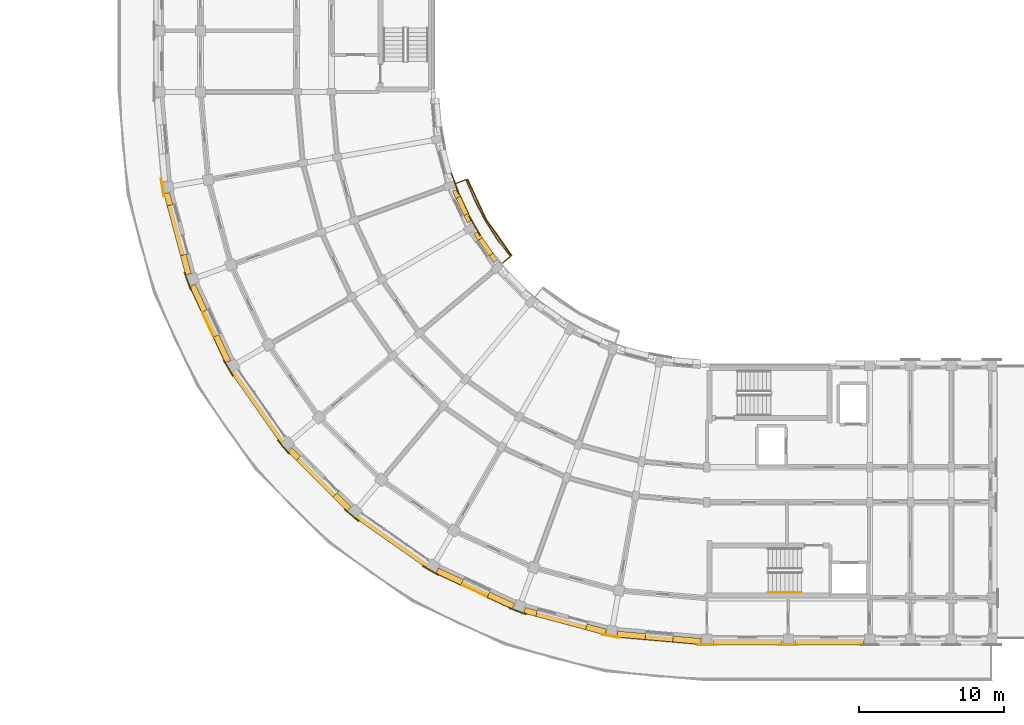
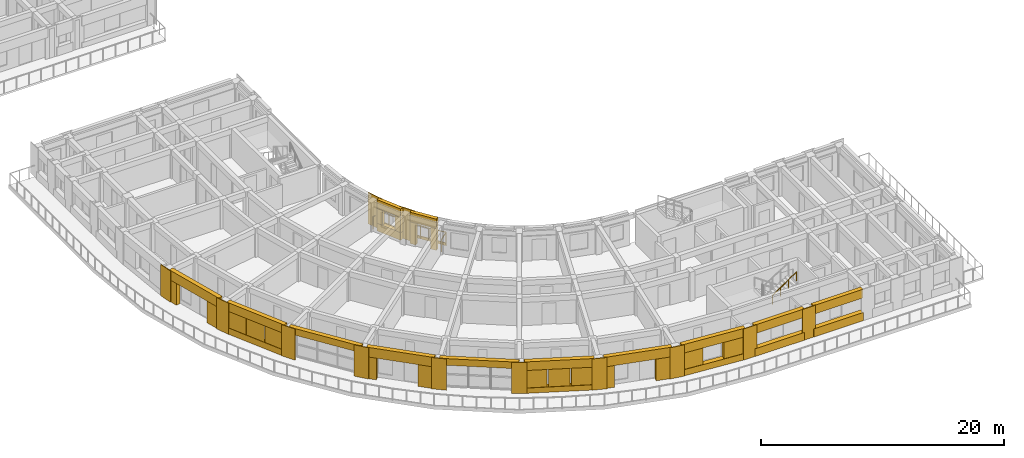
# One storey, part 38 of 54: 47 coverings, 2 railings, 2 shading devices.
"""IFC4 building model written with IfcOpenShell, lengths in metres."""

from ifc_helpers import new_model, si_unit, direction, frame, origin, origin_2d, place, context, subcontext, project, spatial, polyline, rectangle, circle, outline, extrude, material, layer, layer_set, type_object, element, save


model = new_model("IFC4")

# Units and contexts
model_context = context("Model", 3, precision=1e-05, world=origin(), true_north=direction((0.0, 1.0)))
body_context = subcontext(model_context, "Body", "Model", "MODEL_VIEW")
ifc_project = project(units=[si_unit("LENGTHUNIT", "METRE"), si_unit("AREAUNIT", "SQUARE_METRE"), si_unit("VOLUMEUNIT", "CUBIC_METRE"), si_unit("PLANEANGLEUNIT", "RADIAN"), si_unit("MASSUNIT", "GRAM", prefix="KILO")], contexts=[model_context])

# Site, building, storey
site_placement = place(None, origin())
site = spatial("IfcSite", under=ifc_project, at=site_placement, CompositionType="ELEMENT")
building_placement = place(site_placement, origin())
building = spatial("IfcBuilding", under=site, at=building_placement, Name="Kiranvali Square Residences", CompositionType="ELEMENT")
storey_placement = place(building_placement, frame((0.0, 0.0, 27.60009765625)))
storey = spatial("IfcBuildingStorey", under=building, at=storey_placement, Name="L08", CompositionType="ELEMENT", Elevation=27.60009765625)

# Coverings
ifc_material_1 = material(Name="Carved Porbandar limestone classical entablature and cornice", Category="masonry")
ifc_layer_1 = layer(ifc_material_1, 0.06201171875)
ifc_layer_set_1 = layer_set([ifc_layer_1], Name="Carved Porbandar limestone classical entablature and cornice")
covering_type_1 = type_object("IfcCoveringType", Name="COV-CLAD-GBAL", PredefinedType="CLADDING", material=ifc_layer_set_1)
covering_1_placement = place(storey_placement, frame((0.0, 0.0, -0.22021484375)))
element("IfcCovering", 1, at=covering_1_placement, inside=storey, type_object=covering_type_1, Name="Block C L08 garden balcony limestone fascia 2", PredefinedType="CLADDING", context=body_context, shape_type="SweptSolid", body=[
    extrude(outline(polyline([(34.8095703125, 36.964111328125), (33.061767578125, 39.4599609375), (31.774169921875, 42.221435546875), (31.710205078125, 42.1982421875), (33.0029296875, 39.426025390625), (34.757568359375, 36.92041015625), (34.8095703125, 36.964111328125)])), origin(), (0.0, 0.0, 1.0), 0.27001953125),
])
ifc_material_2 = material(Name="Honed Porbandar limestone ashlar facade cladding", Category="masonry")
ifc_layer_2 = layer(ifc_material_2, 0.3798828125)
ifc_layer_set_2 = layer_set([ifc_layer_2], Name="Honed Porbandar limestone ashlar facade cladding")
covering_type_2 = type_object("IfcCoveringType", Name="COV-CLAD-JAMB", PredefinedType="CLADDING", material=ifc_layer_set_2)
covering_2_placement = place(storey_placement, frame((0.0, 0.0, 0.6298828125)))
element("IfcCovering", 2, at=covering_2_placement, inside=storey, type_object=covering_type_2, Name="L08 deep limestone window jamb reveal C-L08-CRV-00.L", PredefinedType="CLADDING", context=body_context, shape_type="SweptSolid", body=[
    extrude(outline(polyline([(47.801513671875, 10.63427734375), (45.8818359375, 10.80224609375), (45.84619140625, 10.394287109375), (47.765869140625, 10.226318359375), (47.801513671875, 10.63427734375)])), origin(), (0.0, 0.0, 1.0), 1.64990234375),
])
covering_3_placement = place(storey_placement, frame((0.0, 0.0, 0.6298828125)))
element("IfcCovering", 3, at=covering_3_placement, inside=storey, type_object=covering_type_2, Name="L08 deep limestone window jamb reveal C-L08-CRV-00.R", PredefinedType="CLADDING", context=body_context, shape_type="SweptSolid", body=[
    extrude(outline(polyline([(43.989013671875, 10.968017578125), (42.0693359375, 11.135986328125), (42.03369140625, 10.72802734375), (43.953369140625, 10.56005859375), (43.989013671875, 10.968017578125)])), origin(), (0.0, 0.0, 1.0), 1.64990234375),
])
covering_4_placement = place(storey_placement, origin())
element("IfcCovering", 4, at=covering_4_placement, inside=storey, type_object=covering_type_2, Name="L08 deep limestone window jamb reveal C-L08-CRV-01.L", PredefinedType="CLADDING", context=body_context, shape_type="SweptSolid", body=[
    extrude(outline(polyline([(41.284423828125, 11.274169921875), (39.966796875, 11.627197265625), (39.86083984375, 11.231689453125), (41.17822265625, 10.878662109375), (41.284423828125, 11.274169921875)])), origin(), (0.0, 0.0, 1.0), 2.179931640625),
])
covering_5_placement = place(storey_placement, origin())
element("IfcCovering", 5, at=covering_5_placement, inside=storey, type_object=covering_type_2, Name="L08 deep limestone window jamb reveal C-L08-CRV-01.R", PredefinedType="CLADDING", context=body_context, shape_type="SweptSolid", body=[
    extrude(outline(polyline([(36.54345703125, 12.544677734375), (35.726318359375, 12.763671875), (35.620361328125, 12.367919921875), (36.4375, 12.14892578125), (36.54345703125, 12.544677734375)])), origin(), (0.0, 0.0, 1.0), 2.179931640625),
])
covering_6_placement = place(storey_placement, frame((0.0, 0.0, 0.52978515625)))
element("IfcCovering", 6, at=covering_6_placement, inside=storey, type_object=covering_type_2, Name="L08 deep limestone window jamb reveal C-L08-CRV-02.L", PredefinedType="CLADDING", context=body_context, shape_type="SweptSolid", body=[
    extrude(outline(polyline([(34.977294921875, 13.0361328125), (33.276123046875, 13.829345703125), (33.10302734375, 13.458251953125), (34.80419921875, 12.6650390625), (34.977294921875, 13.0361328125)])), origin(), (0.0, 0.0, 1.0), 1.75),
])
covering_7_placement = place(storey_placement, frame((0.0, 0.0, 0.52978515625)))
element("IfcCovering", 7, at=covering_7_placement, inside=storey, type_object=covering_type_2, Name="L08 deep limestone window jamb reveal C-L08-CRV-02.R", PredefinedType="CLADDING", context=body_context, shape_type="SweptSolid", body=[
    extrude(outline(polyline([(31.46337890625, 14.674560546875), (29.76220703125, 15.468017578125), (29.58935546875, 15.096923828125), (31.29052734375, 14.303466796875), (31.46337890625, 14.674560546875)])), origin(), (0.0, 0.0, 1.0), 1.75),
])
covering_8_placement = place(storey_placement, origin())
element("IfcCovering", 8, at=covering_8_placement, inside=storey, type_object=covering_type_2, Name="L08 deep limestone window jamb reveal C-L08-CRV-04.L", PredefinedType="CLADDING", context=body_context, shape_type="SweptSolid", body=[
    extrude(outline(polyline([(23.748046875, 19.67919921875), (22.783447265625, 20.6435546875), (22.493896484375, 20.35400390625), (23.45849609375, 19.3896484375), (23.748046875, 19.67919921875)])), origin(), (0.0, 0.0, 1.0), 2.179931640625),
])
covering_9_placement = place(storey_placement, origin())
element("IfcCovering", 9, at=covering_9_placement, inside=storey, type_object=covering_type_2, Name="L08 deep limestone window jamb reveal C-L08-CRV-04.R", PredefinedType="CLADDING", context=body_context, shape_type="SweptSolid", body=[
    extrude(outline(polyline([(20.277587890625, 23.149658203125), (19.67919921875, 23.748046875), (19.3896484375, 23.45849609375), (19.988037109375, 22.860107421875), (20.277587890625, 23.149658203125)])), origin(), (0.0, 0.0, 1.0), 2.179931640625),
])
covering_10_placement = place(storey_placement, frame((0.0, 0.0, 0.6298828125)))
element("IfcCovering", 10, at=covering_10_placement, inside=storey, type_object=covering_type_2, Name="L08 deep limestone window jamb reveal C-L08-CRV-06.L", PredefinedType="CLADDING", context=body_context, shape_type="SweptSolid", body=[
    extrude(outline(polyline([(15.468017578125, 29.76220703125), (14.653564453125, 31.5087890625), (14.282470703125, 31.335693359375), (15.096923828125, 29.58935546875), (15.468017578125, 29.76220703125)])), origin(), (0.0, 0.0, 1.0), 1.64990234375),
])
covering_11_placement = place(storey_placement, frame((0.0, 0.0, 0.6298828125)))
element("IfcCovering", 11, at=covering_11_placement, inside=storey, type_object=covering_type_2, Name="L08 deep limestone window jamb reveal C-L08-CRV-06.R", PredefinedType="CLADDING", context=body_context, shape_type="SweptSolid", body=[
    extrude(outline(polyline([(13.8505859375, 33.230712890625), (13.0361328125, 34.977294921875), (12.6650390625, 34.80419921875), (13.4794921875, 33.057861328125), (13.8505859375, 33.230712890625)])), origin(), (0.0, 0.0, 1.0), 1.64990234375),
])
covering_12_placement = place(storey_placement, origin())
element("IfcCovering", 12, at=covering_12_placement, inside=storey, type_object=covering_type_2, Name="L08 deep limestone window jamb reveal C-L08-CRV-07.L", PredefinedType="CLADDING", context=body_context, shape_type="SweptSolid", body=[
    extrude(outline(polyline([(12.763671875, 35.726318359375), (12.41064453125, 37.043701171875), (12.014892578125, 36.937744140625), (12.367919921875, 35.620361328125), (12.763671875, 35.726318359375)])), origin(), (0.0, 0.0, 1.0), 2.179931640625),
])
covering_13_placement = place(storey_placement, origin())
element("IfcCovering", 13, at=covering_13_placement, inside=storey, type_object=covering_type_2, Name="L08 deep limestone window jamb reveal C-L08-CRV-07.R", PredefinedType="CLADDING", context=body_context, shape_type="SweptSolid", body=[
    extrude(outline(polyline([(11.4931640625, 40.467041015625), (11.274169921875, 41.284423828125), (10.878662109375, 41.17822265625), (11.09765625, 40.361083984375), (11.4931640625, 40.467041015625)])), origin(), (0.0, 0.0, 1.0), 2.179931640625),
])
covering_14_placement = place(storey_placement, origin())
element("IfcCovering", 14, at=covering_14_placement, inside=storey, type_object=covering_type_2, Name="L08 deep limestone window jamb reveal C-L08-GDN-05.L", PredefinedType="CLADDING", context=body_context, shape_type="SweptSolid", body=[
    extrude(outline(polyline([(33.824462890625, 36.671142578125), (33.509765625, 37.120361328125), (33.231689453125, 36.925537109375), (33.54638671875, 36.476318359375), (33.824462890625, 36.671142578125)])), origin(), (0.0, 0.0, 1.0), 2.179931640625),
])
covering_15_placement = place(storey_placement, origin())
element("IfcCovering", 15, at=covering_15_placement, inside=storey, type_object=covering_type_2, Name="L08 deep limestone window jamb reveal C-L08-GDN-05.R", PredefinedType="CLADDING", context=body_context, shape_type="SweptSolid", body=[
    extrude(outline(polyline([(32.76416015625, 38.185302734375), (32.44970703125, 38.634521484375), (32.171630859375, 38.43994140625), (32.486083984375, 37.990478515625), (32.76416015625, 38.185302734375)])), origin(), (0.0, 0.0, 1.0), 2.179931640625),
])
covering_16_placement = place(storey_placement, frame((0.0, 0.0, 0.77197265625)))
element("IfcCovering", 16, at=covering_16_placement, inside=storey, type_object=covering_type_2, Name="L08 deep limestone window jamb reveal C-L08-GDN-06.L", PredefinedType="CLADDING", context=body_context, shape_type="SweptSolid", body=[
    extrude(outline(polyline([(32.041015625, 39.342529296875), (31.80908203125, 39.839599609375), (31.50146484375, 39.696044921875), (31.733154296875, 39.198974609375), (32.041015625, 39.342529296875)])), origin(), (0.0, 0.0, 1.0), 1.5),
])
covering_17_placement = place(storey_placement, frame((0.0, 0.0, 0.77197265625)))
element("IfcCovering", 17, at=covering_17_placement, inside=storey, type_object=covering_type_2, Name="L08 deep limestone window jamb reveal C-L08-GDN-06.R", PredefinedType="CLADDING", context=body_context, shape_type="SweptSolid", body=[
    extrude(outline(polyline([(31.259765625, 41.017822265625), (31.02783203125, 41.514892578125), (30.72021484375, 41.37158203125), (30.951904296875, 40.874267578125), (31.259765625, 41.017822265625)])), origin(), (0.0, 0.0, 1.0), 1.5),
])
ifc_layer_3 = layer(ifc_material_2, 0.06494140625)
ifc_layer_set_3 = layer_set([ifc_layer_3], Name="Honed Porbandar limestone ashlar facade cladding")
covering_type_3 = type_object("IfcCoveringType", Name="COV-CLAD-PIER", PredefinedType="CLADDING", material=ifc_layer_set_3)
covering_18_placement = place(storey_placement, frame((0.0, 0.0, 0.0048828125)))
element("IfcCovering", 18, at=covering_18_placement, inside=storey, type_object=covering_type_3, Name="L08 Classical limestone corner pilaster CLAD-PR-C-L08-A00", PredefinedType="CLADDING", context=body_context, shape_type="SweptSolid", body=[
    extrude(outline(polyline([(47.570068359375, 10.181884765625), (48.830078125, 10.181884765625), (48.830078125, 10.24951171875), (47.570068359375, 10.24951171875), (47.570068359375, 10.181884765625)])), origin(), (0.0, 0.0, 1.0), 3.14013671875),
])
covering_19_placement = place(storey_placement, frame((0.0, 0.0, 0.0048828125)))
element("IfcCovering", 19, at=covering_19_placement, inside=storey, type_object=covering_type_3, Name="L08 Classical limestone corner pilaster CLAD-PR-C-L08-A01", PredefinedType="CLADDING", context=body_context, shape_type="SweptSolid", body=[
    extrude(outline(polyline([(40.977783203125, 10.868896484375), (42.21875, 10.650146484375), (42.23046875, 10.716552734375), (40.989501953125, 10.935546875), (40.977783203125, 10.868896484375)])), origin(), (0.0, 0.0, 1.0), 3.14013671875),
])
covering_20_placement = place(storey_placement, frame((0.0, 0.0, 0.0048828125)))
element("IfcCovering", 20, at=covering_20_placement, inside=storey, type_object=covering_type_3, Name="L08 Classical limestone corner pilaster CLAD-PR-C-L08-A02", PredefinedType="CLADDING", context=body_context, shape_type="SweptSolid", body=[
    extrude(outline(polyline([(34.60498046875, 12.690185546875), (35.7890625, 12.25927734375), (35.812255859375, 12.32275390625), (34.628173828125, 12.753662109375), (34.60498046875, 12.690185546875)])), origin(), (0.0, 0.0, 1.0), 3.14013671875),
])
covering_21_placement = place(storey_placement, frame((0.0, 0.0, 0.0048828125)))
element("IfcCovering", 21, at=covering_21_placement, inside=storey, type_object=covering_type_3, Name="L08 Classical limestone corner pilaster CLAD-PR-C-L08-A03", PredefinedType="CLADDING", context=body_context, shape_type="SweptSolid", body=[
    extrude(outline(polyline([(28.6455078125, 15.59033203125), (29.736572265625, 14.96044921875), (29.770263671875, 15.018798828125), (28.67919921875, 15.64892578125), (28.6455078125, 15.59033203125)])), origin(), (0.0, 0.0, 1.0), 3.14013671875),
])
covering_22_placement = place(storey_placement, frame((0.0, 0.0, 0.0048828125)))
element("IfcCovering", 22, at=covering_22_placement, inside=storey, type_object=covering_type_3, Name="L08 Classical limestone corner pilaster CLAD-PR-C-L08-A04", PredefinedType="CLADDING", context=body_context, shape_type="SweptSolid", body=[
    extrude(outline(polyline([(23.27978515625, 19.4814453125), (24.2451171875, 18.671630859375), (24.28857421875, 18.723388671875), (23.3232421875, 19.533203125), (23.27978515625, 19.4814453125)])), origin(), (0.0, 0.0, 1.0), 3.14013671875),
])
covering_23_placement = place(storey_placement, frame((0.0, 0.0, 0.0048828125)))
element("IfcCovering", 23, at=covering_23_placement, inside=storey, type_object=covering_type_3, Name="L08 Classical limestone corner pilaster CLAD-PR-C-L08-A05", PredefinedType="CLADDING", context=body_context, shape_type="SweptSolid", body=[
    extrude(outline(polyline([(18.671630859375, 24.2451171875), (19.4814453125, 23.27978515625), (19.533203125, 23.3232421875), (18.723388671875, 24.28857421875), (18.671630859375, 24.2451171875)])), origin(), (0.0, 0.0, 1.0), 3.14013671875),
])
covering_24_placement = place(storey_placement, frame((0.0, 0.0, 0.0048828125)))
element("IfcCovering", 24, at=covering_24_placement, inside=storey, type_object=covering_type_3, Name="L08 Classical limestone corner pilaster CLAD-PR-C-L08-A06", PredefinedType="CLADDING", context=body_context, shape_type="SweptSolid", body=[
    extrude(outline(polyline([(14.96044921875, 29.736572265625), (15.59033203125, 28.6455078125), (15.64892578125, 28.67919921875), (15.018798828125, 29.770263671875), (14.96044921875, 29.736572265625)])), origin(), (0.0, 0.0, 1.0), 3.14013671875),
])
covering_25_placement = place(storey_placement, frame((0.0, 0.0, 0.0048828125)))
element("IfcCovering", 25, at=covering_25_placement, inside=storey, type_object=covering_type_3, Name="L08 Classical limestone corner pilaster CLAD-PR-C-L08-A07", PredefinedType="CLADDING", context=body_context, shape_type="SweptSolid", body=[
    extrude(outline(polyline([(12.25927734375, 35.7890625), (12.690185546875, 34.60498046875), (12.753662109375, 34.628173828125), (12.32275390625, 35.812255859375), (12.25927734375, 35.7890625)])), origin(), (0.0, 0.0, 1.0), 3.14013671875),
])
covering_26_placement = place(storey_placement, frame((0.0, 0.0, 0.0048828125)))
element("IfcCovering", 26, at=covering_26_placement, inside=storey, type_object=covering_type_3, Name="L08 Classical limestone corner pilaster CLAD-PR-C-L08-A08", PredefinedType="CLADDING", context=body_context, shape_type="SweptSolid", body=[
    extrude(outline(polyline([(10.650146484375, 42.21875), (10.868896484375, 40.977783203125), (10.935546875, 40.989501953125), (10.716552734375, 42.23046875), (10.650146484375, 42.21875)])), origin(), (0.0, 0.0, 1.0), 3.14013671875),
])
ifc_layer_4 = layer(ifc_material_2, 0.050048828125)
ifc_layer_set_4 = layer_set([ifc_layer_4], Name="Honed Porbandar limestone ashlar facade cladding")
covering_type_4 = type_object("IfcCoveringType", Name="COV-CLAD-PIER-IN", PredefinedType="CLADDING", material=ifc_layer_set_4)
covering_27_placement = place(storey_placement, frame((0.0, 0.0, 0.0048828125)))
element("IfcCovering", 27, at=covering_27_placement, inside=storey, type_object=covering_type_4, Name="L08 Classical garden courtyard pilaster CLAD-PRIN-C-L08-A06", PredefinedType="CLADDING", context=body_context, shape_type="SweptSolid", body=[
    extrude(outline(polyline([(32.65576171875, 38.359375), (31.90576171875, 39.658447265625), (31.84716796875, 39.624755859375), (32.59716796875, 38.32568359375), (32.65576171875, 38.359375)])), origin(), (0.0, 0.0, 1.0), 3.14013671875),
])
covering_28_placement = place(storey_placement, frame((0.0, 0.0, 0.0048828125)))
element("IfcCovering", 28, at=covering_28_placement, inside=storey, type_object=covering_type_4, Name="L08 Classical garden courtyard pilaster CLAD-PRIN-C-L08-A07", PredefinedType="CLADDING", context=body_context, shape_type="SweptSolid", body=[
    extrude(outline(polyline([(31.18310546875, 41.208251953125), (30.670166015625, 42.61767578125), (30.606689453125, 42.5947265625), (31.11962890625, 41.18505859375), (31.18310546875, 41.208251953125)])), origin(), (0.0, 0.0, 1.0), 3.14013671875),
])
ifc_layer_5 = layer(ifc_material_2, 0.054931640625)
ifc_layer_set_5 = layer_set([ifc_layer_5], Name="Honed Porbandar limestone ashlar facade cladding")
covering_type_5 = type_object("IfcCoveringType", Name="COV-CLAD-PIER-UP", PredefinedType="CLADDING", material=ifc_layer_set_5)
covering_29_placement = place(storey_placement, frame((0.0, 0.0, 0.0048828125)))
element("IfcCovering", 29, at=covering_29_placement, inside=storey, type_object=covering_type_5, Name="L08 Classical limestone pilaster casing CLAD-PR-C-L08-U56", PredefinedType="CLADDING", context=body_context, shape_type="SweptSolid", body=[
    extrude(outline(polyline([(53.169921875, 10.181884765625), (54.429931640625, 10.181884765625), (54.429931640625, 10.24951171875), (53.169921875, 10.24951171875), (53.169921875, 10.181884765625)])), origin(), (0.0, 0.0, 1.0), 3.14013671875),
])
ifc_layer_6 = layer(ifc_material_2, 0.360107421875)
ifc_layer_set_6 = layer_set([ifc_layer_6], Name="Honed Porbandar limestone ashlar facade cladding")
covering_type_6 = type_object("IfcCoveringType", Name="COV-CLAD-WALL", PredefinedType="CLADDING", material=ifc_layer_set_6)
covering_30_placement = place(storey_placement, frame((0.0, 0.0, 2.27978515625)))
element("IfcCovering", 30, at=covering_30_placement, inside=storey, type_object=covering_type_6, Name="L08 light limestone spandrel lintel C-L08-CRV-00", PredefinedType="CLADDING", context=body_context, shape_type="SweptSolid", body=[
    extrude(outline(polyline([(47.801513671875, 10.63427734375), (42.0693359375, 11.135986328125), (42.03369140625, 10.72802734375), (47.765869140625, 10.226318359375), (47.801513671875, 10.63427734375)])), origin(), (0.0, 0.0, 1.0), 0.865234375),
])
covering_31_placement = place(storey_placement, frame((0.0, 0.0, 0.0048828125)))
element("IfcCovering", 31, at=covering_31_placement, inside=storey, type_object=covering_type_6, Name="L08 limestone window sill apron C-L08-CRV-00", PredefinedType="CLADDING", context=body_context, shape_type="SweptSolid", body=[
    extrude(outline(polyline([(47.801513671875, 10.63427734375), (42.0693359375, 11.135986328125), (42.031005859375, 10.697998046875), (47.76318359375, 10.196533203125), (47.801513671875, 10.63427734375)])), origin(), (0.0, 0.0, 1.0), 0.625),
])
covering_32_placement = place(storey_placement, frame((0.0, 0.0, 2.179931640625)))
element("IfcCovering", 32, at=covering_32_placement, inside=storey, type_object=covering_type_6, Name="L08 light limestone spandrel lintel C-L08-CRV-01", PredefinedType="CLADDING", context=body_context, shape_type="SweptSolid", body=[
    extrude(outline(polyline([(41.284423828125, 11.274169921875), (35.726318359375, 12.763671875), (35.620361328125, 12.367919921875), (41.17822265625, 10.878662109375), (41.284423828125, 11.274169921875)])), origin(), (0.0, 0.0, 1.0), 0.965087890625),
])
covering_33_placement = place(storey_placement, frame((0.0, 0.0, 2.27978515625)))
element("IfcCovering", 33, at=covering_33_placement, inside=storey, type_object=covering_type_6, Name="L08 light limestone spandrel lintel C-L08-CRV-02", PredefinedType="CLADDING", context=body_context, shape_type="SweptSolid", body=[
    extrude(outline(polyline([(34.977294921875, 13.0361328125), (29.76220703125, 15.468017578125), (29.58935546875, 15.096923828125), (34.80419921875, 12.6650390625), (34.977294921875, 13.0361328125)])), origin(), (0.0, 0.0, 1.0), 0.865234375),
])
covering_34_placement = place(storey_placement, frame((0.0, 0.0, 0.0048828125)))
element("IfcCovering", 34, at=covering_34_placement, inside=storey, type_object=covering_type_6, Name="L08 limestone window sill apron C-L08-CRV-02", PredefinedType="CLADDING", context=body_context, shape_type="SweptSolid", body=[
    extrude(outline(polyline([(34.977294921875, 13.0361328125), (29.76220703125, 15.468017578125), (29.57666015625, 15.069580078125), (34.79150390625, 12.637939453125), (34.977294921875, 13.0361328125)])), origin(), (0.0, 0.0, 1.0), 0.52490234375),
])
covering_35_placement = place(storey_placement, frame((0.0, 0.0, 2.47998046875)))
element("IfcCovering", 35, at=covering_35_placement, inside=storey, type_object=covering_type_6, Name="Block C L08 limestone terrace header 4", PredefinedType="CLADDING", context=body_context, shape_type="SweptSolid", body=[
    extrude(outline(polyline([(29.39892578125, 15.6357421875), (24.030029296875, 19.39501953125), (23.7958984375, 19.060791015625), (29.164794921875, 15.301513671875), (29.39892578125, 15.6357421875)])), origin(), (0.0, 0.0, 1.0), 0.6650390625),
])
covering_36_placement = place(storey_placement, frame((0.0, 0.0, 2.179931640625)))
element("IfcCovering", 36, at=covering_36_placement, inside=storey, type_object=covering_type_6, Name="L08 light limestone spandrel lintel C-L08-CRV-04", PredefinedType="CLADDING", context=body_context, shape_type="SweptSolid", body=[
    extrude(outline(polyline([(23.748046875, 19.67919921875), (19.67919921875, 23.748046875), (19.3896484375, 23.45849609375), (23.45849609375, 19.3896484375), (23.748046875, 19.67919921875)])), origin(), (0.0, 0.0, 1.0), 0.965087890625),
])
covering_37_placement = place(storey_placement, frame((0.0, 0.0, 2.47998046875)))
element("IfcCovering", 37, at=covering_37_placement, inside=storey, type_object=covering_type_6, Name="Block C L08 limestone terrace header 6", PredefinedType="CLADDING", context=body_context, shape_type="SweptSolid", body=[
    extrude(outline(polyline([(19.39501953125, 24.030029296875), (15.6357421875, 29.39892578125), (15.301513671875, 29.164794921875), (19.060791015625, 23.7958984375), (19.39501953125, 24.030029296875)])), origin(), (0.0, 0.0, 1.0), 0.6650390625),
])
covering_38_placement = place(storey_placement, frame((0.0, 0.0, 2.27978515625)))
element("IfcCovering", 38, at=covering_38_placement, inside=storey, type_object=covering_type_6, Name="L08 light limestone spandrel lintel C-L08-CRV-06", PredefinedType="CLADDING", context=body_context, shape_type="SweptSolid", body=[
    extrude(outline(polyline([(15.468017578125, 29.76220703125), (13.0361328125, 34.977294921875), (12.6650390625, 34.80419921875), (15.096923828125, 29.58935546875), (15.468017578125, 29.76220703125)])), origin(), (0.0, 0.0, 1.0), 0.865234375),
])
covering_39_placement = place(storey_placement, frame((0.0, 0.0, 0.0048828125)))
element("IfcCovering", 39, at=covering_39_placement, inside=storey, type_object=covering_type_6, Name="L08 limestone window sill apron C-L08-CRV-06", PredefinedType="CLADDING", context=body_context, shape_type="SweptSolid", body=[
    extrude(outline(polyline([(15.468017578125, 29.76220703125), (13.0361328125, 34.977294921875), (12.637939453125, 34.79150390625), (15.069580078125, 29.57666015625), (15.468017578125, 29.76220703125)])), origin(), (0.0, 0.0, 1.0), 0.625),
])
covering_40_placement = place(storey_placement, frame((0.0, 0.0, 2.179931640625)))
element("IfcCovering", 40, at=covering_40_placement, inside=storey, type_object=covering_type_6, Name="L08 light limestone spandrel lintel C-L08-CRV-07", PredefinedType="CLADDING", context=body_context, shape_type="SweptSolid", body=[
    extrude(outline(polyline([(12.763671875, 35.726318359375), (11.274169921875, 41.284423828125), (10.878662109375, 41.17822265625), (12.367919921875, 35.620361328125), (12.763671875, 35.726318359375)])), origin(), (0.0, 0.0, 1.0), 0.965087890625),
])
covering_41_placement = place(storey_placement, frame((0.0, 0.0, 2.179931640625)))
element("IfcCovering", 41, at=covering_41_placement, inside=storey, type_object=covering_type_6, Name="L08 light limestone spandrel lintel C-L08-GDN-05", PredefinedType="CLADDING", context=body_context, shape_type="SweptSolid", body=[
    extrude(outline(polyline([(33.824462890625, 36.671142578125), (32.44970703125, 38.634521484375), (32.171630859375, 38.43994140625), (33.54638671875, 36.476318359375), (33.824462890625, 36.671142578125)])), origin(), (0.0, 0.0, 1.0), 0.965087890625),
])
covering_42_placement = place(storey_placement, frame((0.0, 0.0, 2.27197265625)))
element("IfcCovering", 42, at=covering_42_placement, inside=storey, type_object=covering_type_6, Name="L08 light limestone spandrel lintel C-L08-GDN-06", PredefinedType="CLADDING", context=body_context, shape_type="SweptSolid", body=[
    extrude(outline(polyline([(32.041015625, 39.342529296875), (31.02783203125, 41.514892578125), (30.72021484375, 41.37158203125), (31.733154296875, 39.198974609375), (32.041015625, 39.342529296875)])), origin(), (0.0, 0.0, 1.0), 0.873046875),
])
covering_43_placement = place(storey_placement, frame((0.0, 0.0, 2.27978515625)))
element("IfcCovering", 43, at=covering_43_placement, inside=storey, type_object=covering_type_6, Name="L08 light limestone spandrel lintel C-L08-A1O-0", PredefinedType="CLADDING", context=body_context, shape_type="SweptSolid", body=[
    extrude(outline(polyline([(48.639892578125, 10.199951171875), (53.360107421875, 10.199951171875), (53.360107421875, 10.599609375), (48.639892578125, 10.599609375), (48.639892578125, 10.199951171875)])), origin(), (0.0, 0.0, 1.0), 0.865234375),
])
covering_44_placement = place(storey_placement, frame((0.0, 0.0, 0.0048828125)))
element("IfcCovering", 44, at=covering_44_placement, inside=storey, type_object=covering_type_6, Name="L08 limestone window sill apron C-L08-A1O-0", PredefinedType="CLADDING", context=body_context, shape_type="SweptSolid", body=[
    extrude(outline(polyline([(48.639892578125, 10.169921875), (53.360107421875, 10.169921875), (53.360107421875, 10.599609375), (48.639892578125, 10.599609375), (48.639892578125, 10.169921875)])), origin(), (0.0, 0.0, 1.0), 0.77490234375),
])
covering_45_placement = place(storey_placement, frame((0.0, 0.0, 2.27978515625)))
element("IfcCovering", 45, at=covering_45_placement, inside=storey, type_object=covering_type_6, Name="L08 light limestone spandrel lintel C-L08-A1O-1", PredefinedType="CLADDING", context=body_context, shape_type="SweptSolid", body=[
    extrude(outline(polyline([(54.239990234375, 10.199951171875), (58.9599609375, 10.199951171875), (58.9599609375, 10.599609375), (54.239990234375, 10.599609375), (54.239990234375, 10.199951171875)])), origin(), (0.0, 0.0, 1.0), 0.865234375),
])
covering_46_placement = place(storey_placement, frame((0.0, 0.0, 0.0048828125)))
element("IfcCovering", 46, at=covering_46_placement, inside=storey, type_object=covering_type_6, Name="L08 limestone window sill apron C-L08-A1O-1", PredefinedType="CLADDING", context=body_context, shape_type="SweptSolid", body=[
    extrude(outline(polyline([(54.239990234375, 10.169921875), (58.9599609375, 10.169921875), (58.9599609375, 10.599609375), (54.239990234375, 10.599609375), (54.239990234375, 10.169921875)])), origin(), (0.0, 0.0, 1.0), 0.824951171875),
])
ifc_layer_7 = layer(ifc_material_2, 0.2900390625)
ifc_layer_set_7 = layer_set([ifc_layer_7], Name="Honed Porbandar limestone ashlar facade cladding")
covering_type_7 = type_object("IfcCoveringType", Name="COV-CLAD-WALL-IN", PredefinedType="CLADDING", material=ifc_layer_set_7)
covering_47_placement = place(storey_placement, frame((0.0, 0.0, 0.0048828125)))
element("IfcCovering", 47, at=covering_47_placement, inside=storey, type_object=covering_type_7, Name="L08 limestone window sill apron C-L08-GDN-06", PredefinedType="CLADDING", context=body_context, shape_type="SweptSolid", body=[
    extrude(outline(polyline([(32.068115234375, 39.355224609375), (31.05517578125, 41.527587890625), (30.72021484375, 41.37158203125), (31.733154296875, 39.198974609375), (32.068115234375, 39.355224609375)])), origin(), (0.0, 0.0, 1.0), 0.76708984375),
])

# Railings
ifc_material_3 = material(Name="Powder-coated architectural bronze balustrade", Category="steel")
railing_type_1 = type_object("IfcRailingType", Name="RL-BAL-GOLD-1200", PredefinedType="BALUSTRADE", material=ifc_material_3)
railing_1_placement = place(storey_placement, frame((33.8291015625, 36.141357421875, 0.0)))
element("IfcRailing", 48, at=railing_1_placement, inside=storey, type_object=railing_type_1, Name="Block C L08 garden balcony gold balustrade 2", PredefinedType="BALUSTRADE", context=body_context, shape_type="SweptSolid", body=[
    extrude(circle(Radius=0.02392578125, at=origin_2d()), frame((0.0, 0.0, 1.17578125), z_axis=(0.765989188314, 0.642853454051, 0.0), x_axis=(-0.642853454051, 0.765989188314, 0.0)), (0.0, 0.0, 1.0), 1.14990234375),
    extrude(circle(Radius=0.02392578125, at=origin_2d()), frame((0.880859375, 0.7392578125, 1.17578125), z_axis=(-0.608811807471, 0.793314680996, 0.0), x_axis=(-0.793314680996, -0.608811807471, 0.0)), (0.0, 0.0, 1.0), 1.536376953125),
    extrude(circle(Radius=0.02392578125, at=origin_2d()), frame((-0.054443359375, 1.9580078125, 1.17578125), z_axis=(-0.537307309343, 0.843386539688, 0.0), x_axis=(-0.843386539688, -0.537307309343, 0.0)), (0.0, 0.0, 1.0), 1.5361328125),
    extrude(circle(Radius=0.02392578125, at=origin_2d()), frame((-0.8798828125, 3.253662109375, 1.17578125), z_axis=(-0.461713009976, 0.887029366154, 0.0), x_axis=(-0.887029366154, -0.461713009976, 0.0)), (0.0, 0.0, 1.0), 1.5361328125),
    extrude(circle(Radius=0.02392578125, at=origin_2d()), frame((-1.589111328125, 4.6162109375, 1.17578125), z_axis=(-0.382651197843, 0.923892883829, 0.0), x_axis=(-0.923892883829, -0.382651197843, 0.0)), (0.0, 0.0, 1.0), 1.536376953125),
    extrude(circle(Radius=0.02392578125, at=origin_2d()), frame((-2.177001953125, 6.03564453125, 1.17578125), z_axis=(-0.939712828289, -0.341964618562, 0.0), x_axis=(0.341964618562, -0.939712828289, 0.0)), (0.0, 0.0, 1.0), 1.150146484375),
    extrude(circle(Radius=0.02099609375, at=origin_2d()), origin(), (0.0, 0.0, 1.0), 1.15185546875),
    extrude(circle(Radius=0.02099609375, at=origin_2d()), frame((0.880859375, 0.7392578125, 0.0)), (0.0, 0.0, 1.0), 1.15185546875),
    extrude(circle(Radius=0.02099609375, at=origin_2d()), frame((0.4130859375, 1.3486328125, 0.0)), (0.0, 0.0, 1.0), 1.15185546875),
    extrude(circle(Radius=0.02099609375, at=origin_2d()), frame((-0.054443359375, 1.9580078125, 0.0)), (0.0, 0.0, 1.0), 1.15185546875),
    extrude(circle(Radius=0.02099609375, at=origin_2d()), frame((-0.46728515625, 2.60595703125, 0.0)), (0.0, 0.0, 1.0), 1.15185546875),
    extrude(circle(Radius=0.02099609375, at=origin_2d()), frame((-0.8798828125, 3.253662109375, 0.0)), (0.0, 0.0, 1.0), 1.15185546875),
    extrude(circle(Radius=0.02099609375, at=origin_2d()), frame((-1.234375, 3.93505859375, 0.0)), (0.0, 0.0, 1.0), 1.15185546875),
    extrude(circle(Radius=0.02099609375, at=origin_2d()), frame((-1.589111328125, 4.6162109375, 0.0)), (0.0, 0.0, 1.0), 1.15185546875),
    extrude(circle(Radius=0.02099609375, at=origin_2d()), frame((-1.883056640625, 5.325927734375, 0.0)), (0.0, 0.0, 1.0), 1.15185546875),
    extrude(circle(Radius=0.02099609375, at=origin_2d()), frame((-2.177001953125, 6.03564453125, 0.0)), (0.0, 0.0, 1.0), 1.15185546875),
    extrude(circle(Radius=0.02099609375, at=origin_2d()), frame((-3.2578125, 5.642333984375, 0.0)), (0.0, 0.0, 1.0), 1.15185546875),
])
ifc_material_4 = material(Name="Brushed stainless steel tubular handrail", Category="steel")
railing_type_2 = type_object("IfcRailingType", Name="RL-HANDRAIL-900", PredefinedType="HANDRAIL", material=ifc_material_4)
railing_2_placement = place(storey_placement, frame((52.419921875, 13.800048828125, 1.75)))
element("IfcRailing", 49, at=railing_2_placement, inside=storey, type_object=railing_type_2, Name="L08 ST-C1 stair handrail 2", PredefinedType="HANDRAIL", context=body_context, shape_type="SweptSolid", body=[
    extrude(circle(Radius=0.02392578125, at=origin_2d()), frame((0.0, 0.0, 0.8759765625), z_axis=(0.82278801735, 0.0, 0.568348377763), x_axis=(0.0, 1.0, 0.0)), (0.0, 0.0, 1.0), 2.77099609375),
    extrude(circle(Radius=0.02099609375, at=origin_2d()), origin(), (0.0, 0.0, 1.0), 0.851806640625),
    extrude(circle(Radius=0.02099609375, at=origin_2d()), frame((0.760009765625, 0.0, 0.52490234375)), (0.0, 0.0, 1.0), 0.851806640625),
    extrude(circle(Radius=0.02099609375, at=origin_2d()), frame((1.52001953125, 0.0, 1.050048828125)), (0.0, 0.0, 1.0), 0.851806640625),
    extrude(circle(Radius=0.02099609375, at=origin_2d()), frame((2.280029296875, 0.0, 1.574951171875)), (0.0, 0.0, 1.0), 0.851806640625),
])

# Shading devices
ifc_material_5 = material(Name="Pierced buff sandstone architectural mashrabiya solar screen", Category="masonry")
shading_device_type = type_object("IfcShadingDeviceType", Name="SHD-JALI-1800", PredefinedType="JALOUSIE", material=ifc_material_5)
shading_device_1_placement = place(storey_placement, frame((32.205078125, 13.89892578125, 0.52978515625), z_axis=(0.0, 0.0, 1.0), x_axis=(-0.906307787037, 0.422618261741, 0.0)))
element("IfcShadingDevice", 50, at=shading_device_1_placement, inside=storey, type_object=shading_device_type, Name="L08 carved stone Mashrabiya screen C-L08-CRV-02", PredefinedType="JALOUSIE", context=body_context, shape_type="SweptSolid", body=[
    extrude(rectangle(XDim=1.800048828125, YDim=0.044921875, at=origin_2d()), origin(), (0.0, 0.0, 1.0), 1.75),
])
shading_device_2_placement = place(storey_placement, frame((13.89892578125, 32.205078125, 0.6298828125), z_axis=(0.0, 0.0, 1.0), x_axis=(-0.422618261741, 0.906307787037, 0.0)))
element("IfcShadingDevice", 51, at=shading_device_2_placement, inside=storey, type_object=shading_device_type, Name="L08 carved stone Mashrabiya screen C-L08-CRV-06", PredefinedType="JALOUSIE", context=body_context, shape_type="SweptSolid", body=[
    extrude(rectangle(XDim=1.800048828125, YDim=0.044921875, at=origin_2d()), origin(), (0.0, 0.0, 1.0), 1.64990234375),
])

save(model, "model.ifc")
